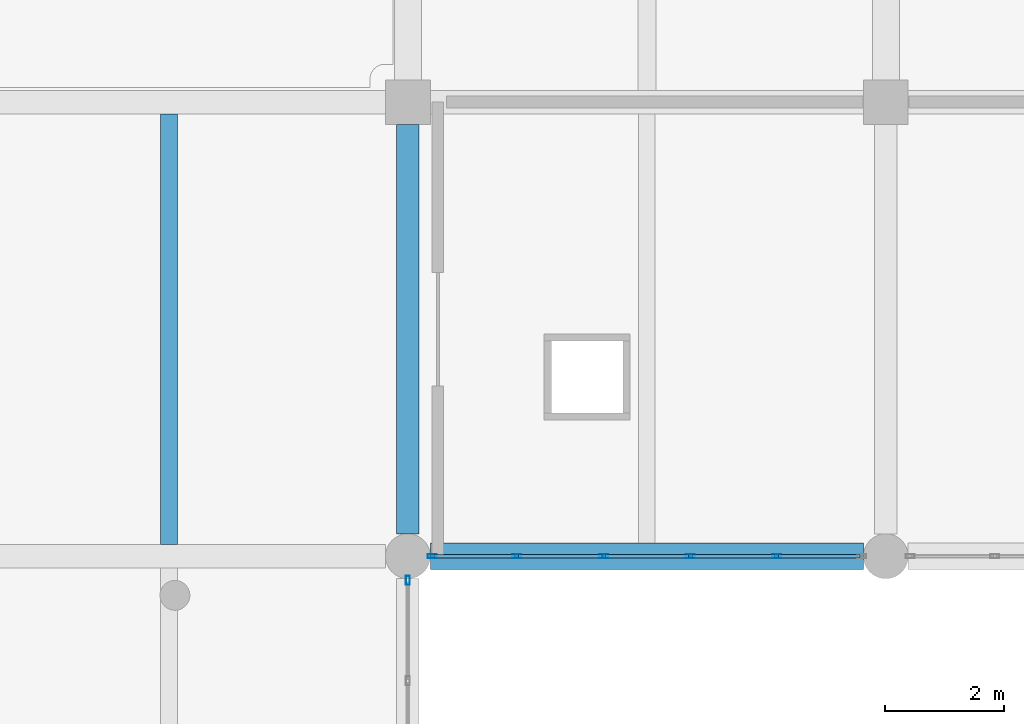
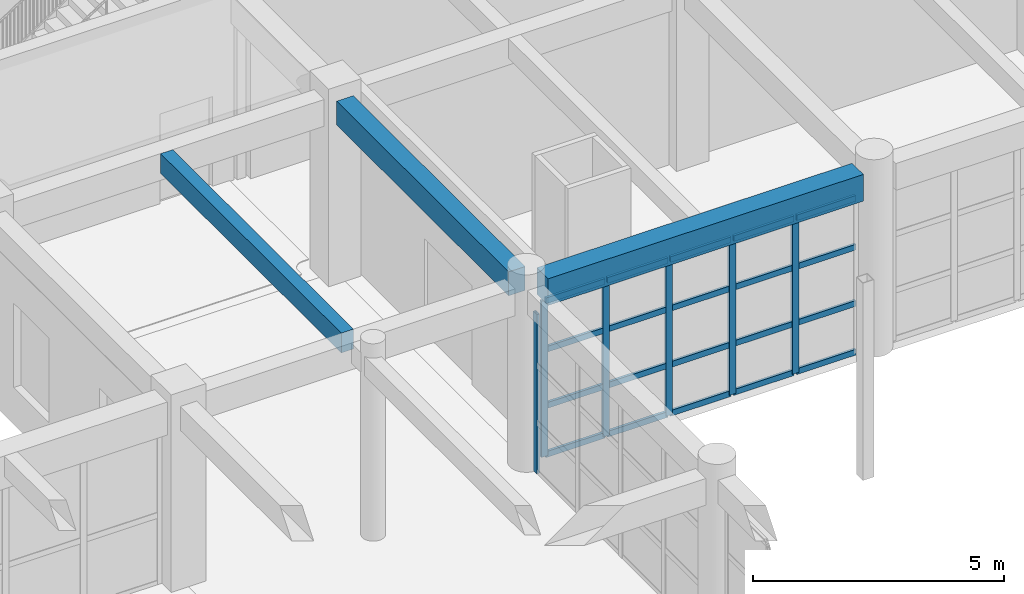
# One storey, part 47 of 101: 26 members, 3 beams, 2 elements without a shape of their own.
"""IFC4 building model written with IfcOpenShell, lengths in metres."""

from ifc_helpers import new_model, si_unit, direction, frame, origin, origin_2d, place, context, subcontext, project, spatial, rectangle, hollow_rectangle, extrude, material, material_profile, profile_set, type_object, element, aggregate, save


model = new_model("IFC4")

# Units and contexts
model_context = context("Model", 3, precision=1e-05, world=origin(), true_north=direction((0.0, 1.0)))
body_context = subcontext(model_context, "Body", "Model", "MODEL_VIEW")
ifc_project = project(units=[si_unit("LENGTHUNIT", "METRE"), si_unit("AREAUNIT", "SQUARE_METRE"), si_unit("VOLUMEUNIT", "CUBIC_METRE"), si_unit("PLANEANGLEUNIT", "RADIAN"), si_unit("MASSUNIT", "GRAM", prefix="KILO")], contexts=[model_context])

# Site, building, storey
site_placement = place(None, origin())
site = spatial("IfcSite", under=ifc_project, at=site_placement, CompositionType="ELEMENT")
building_placement = place(site_placement, origin())
building = spatial("IfcBuilding", under=site, at=building_placement, Name="Zantavel Square City Hall", CompositionType="ELEMENT")
storey_placement = place(building_placement, frame((0.0, 0.0, 5.39990234375)))
storey = spatial("IfcBuildingStorey", under=building, at=storey_placement, Name="L02", CompositionType="ELEMENT", Elevation=5.39990234375)

# Beam
ifc_material_1 = material(Name="Concrete C35/45", Category="concrete")
ifc_material_profile_1 = material_profile(ifc_material_1, rectangle(XDim=0.3798828125, YDim=0.580078125, at=origin_2d()), Name="RC 380x580")
ifc_profile_set_1 = profile_set([ifc_material_profile_1], Name="Concrete C35/45")
beam_type_1 = type_object("IfcBeamType", Name="Annex Secondary Beam RC 380x580 C35/45", PredefinedType="BEAM", material=ifc_profile_set_1)
beam_1_placement = place(storey_placement, frame((120.0, 68.77490234375, 4.16015625), z_axis=(0.0, 1.0, 0.0), x_axis=(-1.0, 0.0, 0.0)))
element("IfcBeam", 1, at=beam_1_placement, inside=storey, type_object=beam_type_1, Name="L02 Beam BMY-L02-1200-0684", PredefinedType="BEAM", context=body_context, shape_type="SweptSolid", body=[
    extrude(rectangle(XDim=0.3798828125, YDim=0.580078125, at=origin_2d()), origin(), (0.0, 0.0, 1.0), 6.85009765625),
])

# Curtain wall, members
ifc_material_2 = material(Name="Anodised aluminium 6063-T6", Category="aluminium")
curtain_wall_type_1 = type_object("IfcCurtainWallType", Name="Curtain Wall CRT 7250x3800", PredefinedType="USERDEFINED", material=ifc_material_2)
curtain_wall_1_placement = place(storey_placement, origin())
curtain_wall_1 = element("IfcCurtainWall", 2, at=curtain_wall_1_placement, inside=storey, type_object=curtain_wall_type_1, Name="L02 Glazed Curtain Wall CW-L02-062", ObjectType="GLAZED CURTAIN WALL", PredefinedType="USERDEFINED")
ifc_material_profile_2 = material_profile(ifc_material_2, hollow_rectangle(XDim=0.06494140625, YDim=0.14990234375, WallThickness=0.00390625, at=origin_2d()), Name="ALU 65x150x4")
ifc_profile_set_2 = profile_set([ifc_material_profile_2], Name="Anodised aluminium 6063-T6")
member_type_1 = type_object("IfcMemberType", Name="CW Mullion ALU 65x150x4", PredefinedType="MULLION", material=ifc_profile_set_2)
member_1_placement = place(storey_placement, frame((126.175048828125, 68.39990234375, 0.0), z_axis=(0.0, 0.0, 1.0), x_axis=(0.0, -1.0, 0.0)))
member_1 = element("IfcMember", 3, at=member_1_placement, type_object=member_type_1, Name="CW-062 mullion 2", PredefinedType="MULLION", context=body_context, shape_type="SweptSolid", body=[
    extrude(hollow_rectangle(XDim=0.06494140625, YDim=0.14990234375, WallThickness=0.00390625, at=origin_2d()), origin(), (0.0, 0.0, 1.0), 3.800048828125),
])
member_2_placement = place(storey_placement, frame((124.72509765625, 68.39990234375, 0.0), z_axis=(0.0, 0.0, 1.0), x_axis=(0.0, -1.0, 0.0)))
member_2 = element("IfcMember", 4, at=member_2_placement, type_object=member_type_1, Name="CW-062 mullion 3", PredefinedType="MULLION", context=body_context, shape_type="SweptSolid", body=[
    extrude(hollow_rectangle(XDim=0.06494140625, YDim=0.14990234375, WallThickness=0.00390625, at=origin_2d()), origin(), (0.0, 0.0, 1.0), 3.800048828125),
])
member_3_placement = place(storey_placement, frame((123.27490234375, 68.39990234375, 0.0), z_axis=(0.0, 0.0, 1.0), x_axis=(0.0, -1.0, 0.0)))
member_3 = element("IfcMember", 5, at=member_3_placement, type_object=member_type_1, Name="CW-062 mullion 4", PredefinedType="MULLION", context=body_context, shape_type="SweptSolid", body=[
    extrude(hollow_rectangle(XDim=0.06494140625, YDim=0.14990234375, WallThickness=0.00390625, at=origin_2d()), origin(), (0.0, 0.0, 1.0), 3.800048828125),
])
member_4_placement = place(storey_placement, frame((121.824951171875, 68.39990234375, 0.0), z_axis=(0.0, 0.0, 1.0), x_axis=(0.0, -1.0, 0.0)))
member_4 = element("IfcMember", 6, at=member_4_placement, type_object=member_type_1, Name="CW-062 mullion 5", PredefinedType="MULLION", context=body_context, shape_type="SweptSolid", body=[
    extrude(hollow_rectangle(XDim=0.06494140625, YDim=0.14990234375, WallThickness=0.00390625, at=origin_2d()), origin(), (0.0, 0.0, 1.0), 3.800048828125),
])
member_5_placement = place(storey_placement, frame((120.405029296875, 68.39990234375, 0.0), z_axis=(0.0, 0.0, 1.0), x_axis=(0.0, -1.0, 0.0)))
member_5 = element("IfcMember", 7, at=member_5_placement, type_object=member_type_1, Name="CW-062 mullion 6", PredefinedType="MULLION", context=body_context, shape_type="SweptSolid", body=[
    extrude(hollow_rectangle(XDim=0.06494140625, YDim=0.14990234375, WallThickness=0.00390625, at=origin_2d()), origin(), (0.0, 0.0, 1.0), 3.800048828125),
])

# Curtain wall, member
curtain_wall_type_2 = type_object("IfcCurtainWallType", Name="Curtain Wall CRT 6850x3870", PredefinedType="USERDEFINED", material=ifc_material_2)
curtain_wall_2_placement = place(storey_placement, origin())
curtain_wall_2 = element("IfcCurtainWall", 8, at=curtain_wall_2_placement, inside=storey, type_object=curtain_wall_type_2, Name="L02 Glazed Curtain Wall CW-L02-063", ObjectType="GLAZED CURTAIN WALL", PredefinedType="USERDEFINED")
member_6_placement = place(storey_placement, frame((120.0, 67.9951171875, 0.0), z_axis=(0.0, 0.0, 1.0), x_axis=(1.0, 0.0, 0.0)))
member_6 = element("IfcMember", 9, at=member_6_placement, type_object=member_type_1, Name="CW-063 mullion 1", PredefinedType="MULLION", context=body_context, shape_type="SweptSolid", body=[
    extrude(hollow_rectangle(XDim=0.06494140625, YDim=0.14990234375, WallThickness=0.00390625, at=origin_2d()), origin(), (0.0, 0.0, 1.0), 3.8701171875),
])
aggregate(curtain_wall_2, [member_6])

# Member
ifc_material_profile_3 = material_profile(ifc_material_2, hollow_rectangle(XDim=0.06005859375, YDim=0.139892578125, WallThickness=0.00390625, at=origin_2d()), Name="ALU 60x140x4")
ifc_profile_set_3 = profile_set([ifc_material_profile_3], Name="Anodised aluminium 6063-T6")
member_type_2 = type_object("IfcMemberType", Name="CW Transom ALU 60x140x4", PredefinedType="USERDEFINED", material=ifc_profile_set_3)
member_7_placement = place(storey_placement, frame((127.56494140625, 68.39990234375, 0.030029296875), z_axis=(-1.0, 0.0, 0.0), x_axis=(0.0, -1.0, 0.0)))
member_7 = element("IfcMember", 10, at=member_7_placement, type_object=member_type_2, Name="CW-062 transom 1.1", ObjectType="TRANSOM", PredefinedType="USERDEFINED", context=body_context, shape_type="SweptSolid", body=[
    extrude(hollow_rectangle(XDim=0.06005859375, YDim=0.139892578125, WallThickness=0.00390625, at=origin_2d()), origin(), (0.0, 0.0, 1.0), 1.35986328125),
])

member_8_placement = place(storey_placement, frame((127.56494140625, 68.39990234375, 1.216064453125), z_axis=(-1.0, 0.0, 0.0), x_axis=(0.0, -1.0, 0.0)))
member_8 = element("IfcMember", 11, at=member_8_placement, type_object=member_type_2, Name="CW-062 transom 1.2", ObjectType="TRANSOM", PredefinedType="USERDEFINED", context=body_context, shape_type="SweptSolid", body=[
    extrude(hollow_rectangle(XDim=0.06005859375, YDim=0.139892578125, WallThickness=0.00390625, at=origin_2d()), origin(), (0.0, 0.0, 1.0), 1.35986328125),
])

member_9_placement = place(storey_placement, frame((127.56494140625, 68.39990234375, 2.583984375), z_axis=(-1.0, 0.0, 0.0), x_axis=(0.0, -1.0, 0.0)))
member_9 = element("IfcMember", 12, at=member_9_placement, type_object=member_type_2, Name="CW-062 transom 1.3", ObjectType="TRANSOM", PredefinedType="USERDEFINED", context=body_context, shape_type="SweptSolid", body=[
    extrude(hollow_rectangle(XDim=0.06005859375, YDim=0.139892578125, WallThickness=0.00390625, at=origin_2d()), origin(), (0.0, 0.0, 1.0), 1.35986328125),
])

member_10_placement = place(storey_placement, frame((127.56494140625, 68.39990234375, 3.77001953125), z_axis=(-1.0, 0.0, 0.0), x_axis=(0.0, -1.0, 0.0)))
member_10 = element("IfcMember", 13, at=member_10_placement, type_object=member_type_2, Name="CW-062 transom 1.4", ObjectType="TRANSOM", PredefinedType="USERDEFINED", context=body_context, shape_type="SweptSolid", body=[
    extrude(hollow_rectangle(XDim=0.06005859375, YDim=0.139892578125, WallThickness=0.00390625, at=origin_2d()), origin(), (0.0, 0.0, 1.0), 1.35986328125),
])

member_11_placement = place(storey_placement, frame((126.14501953125, 68.39990234375, 0.030029296875), z_axis=(-1.0, 0.0, 0.0), x_axis=(0.0, -1.0, 0.0)))
member_11 = element("IfcMember", 14, at=member_11_placement, type_object=member_type_2, Name="CW-062 transom 2.1", ObjectType="TRANSOM", PredefinedType="USERDEFINED", context=body_context, shape_type="SweptSolid", body=[
    extrude(hollow_rectangle(XDim=0.06005859375, YDim=0.139892578125, WallThickness=0.00390625, at=origin_2d()), origin(), (0.0, 0.0, 1.0), 1.39013671875),
])

member_12_placement = place(storey_placement, frame((126.14501953125, 68.39990234375, 1.216064453125), z_axis=(-1.0, 0.0, 0.0), x_axis=(0.0, -1.0, 0.0)))
member_12 = element("IfcMember", 15, at=member_12_placement, type_object=member_type_2, Name="CW-062 transom 2.2", ObjectType="TRANSOM", PredefinedType="USERDEFINED", context=body_context, shape_type="SweptSolid", body=[
    extrude(hollow_rectangle(XDim=0.06005859375, YDim=0.139892578125, WallThickness=0.00390625, at=origin_2d()), origin(), (0.0, 0.0, 1.0), 1.39013671875),
])

member_13_placement = place(storey_placement, frame((126.14501953125, 68.39990234375, 2.583984375), z_axis=(-1.0, 0.0, 0.0), x_axis=(0.0, -1.0, 0.0)))
member_13 = element("IfcMember", 16, at=member_13_placement, type_object=member_type_2, Name="CW-062 transom 2.3", ObjectType="TRANSOM", PredefinedType="USERDEFINED", context=body_context, shape_type="SweptSolid", body=[
    extrude(hollow_rectangle(XDim=0.06005859375, YDim=0.139892578125, WallThickness=0.00390625, at=origin_2d()), origin(), (0.0, 0.0, 1.0), 1.39013671875),
])

member_14_placement = place(storey_placement, frame((126.14501953125, 68.39990234375, 3.77001953125), z_axis=(-1.0, 0.0, 0.0), x_axis=(0.0, -1.0, 0.0)))
member_14 = element("IfcMember", 17, at=member_14_placement, type_object=member_type_2, Name="CW-062 transom 2.4", ObjectType="TRANSOM", PredefinedType="USERDEFINED", context=body_context, shape_type="SweptSolid", body=[
    extrude(hollow_rectangle(XDim=0.06005859375, YDim=0.139892578125, WallThickness=0.00390625, at=origin_2d()), origin(), (0.0, 0.0, 1.0), 1.39013671875),
])

member_15_placement = place(storey_placement, frame((124.695068359375, 68.39990234375, 0.030029296875), z_axis=(-1.0, 0.0, 0.0), x_axis=(0.0, -1.0, 0.0)))
member_15 = element("IfcMember", 18, at=member_15_placement, type_object=member_type_2, Name="CW-062 transom 3.1", ObjectType="TRANSOM", PredefinedType="USERDEFINED", context=body_context, shape_type="SweptSolid", body=[
    extrude(hollow_rectangle(XDim=0.06005859375, YDim=0.139892578125, WallThickness=0.00390625, at=origin_2d()), origin(), (0.0, 0.0, 1.0), 1.39013671875),
])

member_16_placement = place(storey_placement, frame((124.695068359375, 68.39990234375, 1.216064453125), z_axis=(-1.0, 0.0, 0.0), x_axis=(0.0, -1.0, 0.0)))
member_16 = element("IfcMember", 19, at=member_16_placement, type_object=member_type_2, Name="CW-062 transom 3.2", ObjectType="TRANSOM", PredefinedType="USERDEFINED", context=body_context, shape_type="SweptSolid", body=[
    extrude(hollow_rectangle(XDim=0.06005859375, YDim=0.139892578125, WallThickness=0.00390625, at=origin_2d()), origin(), (0.0, 0.0, 1.0), 1.39013671875),
])

member_17_placement = place(storey_placement, frame((124.695068359375, 68.39990234375, 2.583984375), z_axis=(-1.0, 0.0, 0.0), x_axis=(0.0, -1.0, 0.0)))
member_17 = element("IfcMember", 20, at=member_17_placement, type_object=member_type_2, Name="CW-062 transom 3.3", ObjectType="TRANSOM", PredefinedType="USERDEFINED", context=body_context, shape_type="SweptSolid", body=[
    extrude(hollow_rectangle(XDim=0.06005859375, YDim=0.139892578125, WallThickness=0.00390625, at=origin_2d()), origin(), (0.0, 0.0, 1.0), 1.39013671875),
])

member_18_placement = place(storey_placement, frame((124.695068359375, 68.39990234375, 3.77001953125), z_axis=(-1.0, 0.0, 0.0), x_axis=(0.0, -1.0, 0.0)))
member_18 = element("IfcMember", 21, at=member_18_placement, type_object=member_type_2, Name="CW-062 transom 3.4", ObjectType="TRANSOM", PredefinedType="USERDEFINED", context=body_context, shape_type="SweptSolid", body=[
    extrude(hollow_rectangle(XDim=0.06005859375, YDim=0.139892578125, WallThickness=0.00390625, at=origin_2d()), origin(), (0.0, 0.0, 1.0), 1.39013671875),
])

member_19_placement = place(storey_placement, frame((123.2451171875, 68.39990234375, 0.030029296875), z_axis=(-1.0, 0.0, 0.0), x_axis=(0.0, -1.0, 0.0)))
member_19 = element("IfcMember", 22, at=member_19_placement, type_object=member_type_2, Name="CW-062 transom 4.1", ObjectType="TRANSOM", PredefinedType="USERDEFINED", context=body_context, shape_type="SweptSolid", body=[
    extrude(hollow_rectangle(XDim=0.06005859375, YDim=0.139892578125, WallThickness=0.00390625, at=origin_2d()), origin(), (0.0, 0.0, 1.0), 1.39013671875),
])

member_20_placement = place(storey_placement, frame((123.2451171875, 68.39990234375, 1.216064453125), z_axis=(-1.0, 0.0, 0.0), x_axis=(0.0, -1.0, 0.0)))
member_20 = element("IfcMember", 23, at=member_20_placement, type_object=member_type_2, Name="CW-062 transom 4.2", ObjectType="TRANSOM", PredefinedType="USERDEFINED", context=body_context, shape_type="SweptSolid", body=[
    extrude(hollow_rectangle(XDim=0.06005859375, YDim=0.139892578125, WallThickness=0.00390625, at=origin_2d()), origin(), (0.0, 0.0, 1.0), 1.39013671875),
])

member_21_placement = place(storey_placement, frame((123.2451171875, 68.39990234375, 2.583984375), z_axis=(-1.0, 0.0, 0.0), x_axis=(0.0, -1.0, 0.0)))
member_21 = element("IfcMember", 24, at=member_21_placement, type_object=member_type_2, Name="CW-062 transom 4.3", ObjectType="TRANSOM", PredefinedType="USERDEFINED", context=body_context, shape_type="SweptSolid", body=[
    extrude(hollow_rectangle(XDim=0.06005859375, YDim=0.139892578125, WallThickness=0.00390625, at=origin_2d()), origin(), (0.0, 0.0, 1.0), 1.39013671875),
])

member_22_placement = place(storey_placement, frame((123.2451171875, 68.39990234375, 3.77001953125), z_axis=(-1.0, 0.0, 0.0), x_axis=(0.0, -1.0, 0.0)))
member_22 = element("IfcMember", 25, at=member_22_placement, type_object=member_type_2, Name="CW-062 transom 4.4", ObjectType="TRANSOM", PredefinedType="USERDEFINED", context=body_context, shape_type="SweptSolid", body=[
    extrude(hollow_rectangle(XDim=0.06005859375, YDim=0.139892578125, WallThickness=0.00390625, at=origin_2d()), origin(), (0.0, 0.0, 1.0), 1.39013671875),
])

member_23_placement = place(storey_placement, frame((121.794921875, 68.39990234375, 0.030029296875), z_axis=(-1.0, 0.0, 0.0), x_axis=(0.0, -1.0, 0.0)))
member_23 = element("IfcMember", 26, at=member_23_placement, type_object=member_type_2, Name="CW-062 transom 5.1", ObjectType="TRANSOM", PredefinedType="USERDEFINED", context=body_context, shape_type="SweptSolid", body=[
    extrude(hollow_rectangle(XDim=0.06005859375, YDim=0.139892578125, WallThickness=0.00390625, at=origin_2d()), origin(), (0.0, 0.0, 1.0), 1.35986328125),
])

member_24_placement = place(storey_placement, frame((121.794921875, 68.39990234375, 1.216064453125), z_axis=(-1.0, 0.0, 0.0), x_axis=(0.0, -1.0, 0.0)))
member_24 = element("IfcMember", 27, at=member_24_placement, type_object=member_type_2, Name="CW-062 transom 5.2", ObjectType="TRANSOM", PredefinedType="USERDEFINED", context=body_context, shape_type="SweptSolid", body=[
    extrude(hollow_rectangle(XDim=0.06005859375, YDim=0.139892578125, WallThickness=0.00390625, at=origin_2d()), origin(), (0.0, 0.0, 1.0), 1.35986328125),
])

member_25_placement = place(storey_placement, frame((121.794921875, 68.39990234375, 2.583984375), z_axis=(-1.0, 0.0, 0.0), x_axis=(0.0, -1.0, 0.0)))
member_25 = element("IfcMember", 28, at=member_25_placement, type_object=member_type_2, Name="CW-062 transom 5.3", ObjectType="TRANSOM", PredefinedType="USERDEFINED", context=body_context, shape_type="SweptSolid", body=[
    extrude(hollow_rectangle(XDim=0.06005859375, YDim=0.139892578125, WallThickness=0.00390625, at=origin_2d()), origin(), (0.0, 0.0, 1.0), 1.35986328125),
])

member_26_placement = place(storey_placement, frame((121.794921875, 68.39990234375, 3.77001953125), z_axis=(-1.0, 0.0, 0.0), x_axis=(0.0, -1.0, 0.0)))
member_26 = element("IfcMember", 29, at=member_26_placement, type_object=member_type_2, Name="CW-062 transom 5.4", ObjectType="TRANSOM", PredefinedType="USERDEFINED", context=body_context, shape_type="SweptSolid", body=[
    extrude(hollow_rectangle(XDim=0.06005859375, YDim=0.139892578125, WallThickness=0.00390625, at=origin_2d()), origin(), (0.0, 0.0, 1.0), 1.35986328125),
])

aggregate(curtain_wall_1, [member_1, member_2, member_3, member_4, member_5, member_7, member_8, member_9, member_10, member_11, member_12, member_13, member_14, member_15, member_16, member_17, member_18, member_19, member_20, member_21, member_22, member_23, member_24, member_25, member_26])

# Beams
ifc_material_profile_4 = material_profile(ifc_material_1, rectangle(XDim=0.449951171875, YDim=0.64990234375, at=origin_2d()), Name="RC 450x650")
ifc_profile_set_4 = profile_set([ifc_material_profile_4], Name="Concrete C35/45")
beam_type_2 = type_object("IfcBeamType", Name="Courtyard Cloister Girder RC 450x650 C35/45", PredefinedType="BEAM", material=ifc_profile_set_4)
beam_2_placement = place(storey_placement, frame((120.375, 68.39990234375, 4.125), z_axis=(1.0, 0.0, 0.0), x_axis=(0.0, 1.0, 0.0)))
element("IfcBeam", 30, at=beam_2_placement, inside=storey, type_object=beam_type_2, Name="L02 Girder BMX-L02-1200-0684", PredefinedType="BEAM", context=body_context, shape_type="SweptSolid", body=[
    extrude(rectangle(XDim=0.449951171875, YDim=0.64990234375, at=origin_2d()), origin(), (0.0, 0.0, 1.0), 7.25),
])
ifc_material_profile_5 = material_profile(ifc_material_1, rectangle(XDim=0.280029296875, YDim=0.47998046875, at=origin_2d()), Name="RC 280x480")
ifc_profile_set_5 = profile_set([ifc_material_profile_5], Name="Concrete C35/45")
beam_type_3 = type_object("IfcBeamType", Name="Terrace Deck Joist RC 280x480 C35/45", PredefinedType="JOIST", material=ifc_profile_set_5)
beam_3_placement = place(storey_placement, frame((116.0, 68.60009765625, 4.210205078125), z_axis=(0.0, 1.0, 0.0), x_axis=(-1.0, 0.0, 0.0)))
element("IfcBeam", 31, at=beam_3_placement, inside=storey, type_object=beam_type_3, Name="L02 Floor Joist JST-L02-1160-0684", PredefinedType="JOIST", context=body_context, shape_type="SweptSolid", body=[
    extrude(rectangle(XDim=0.280029296875, YDim=0.47998046875, at=origin_2d()), origin(), (0.0, 0.0, 1.0), 7.199951171875),
])

save(model, "model.ifc")
